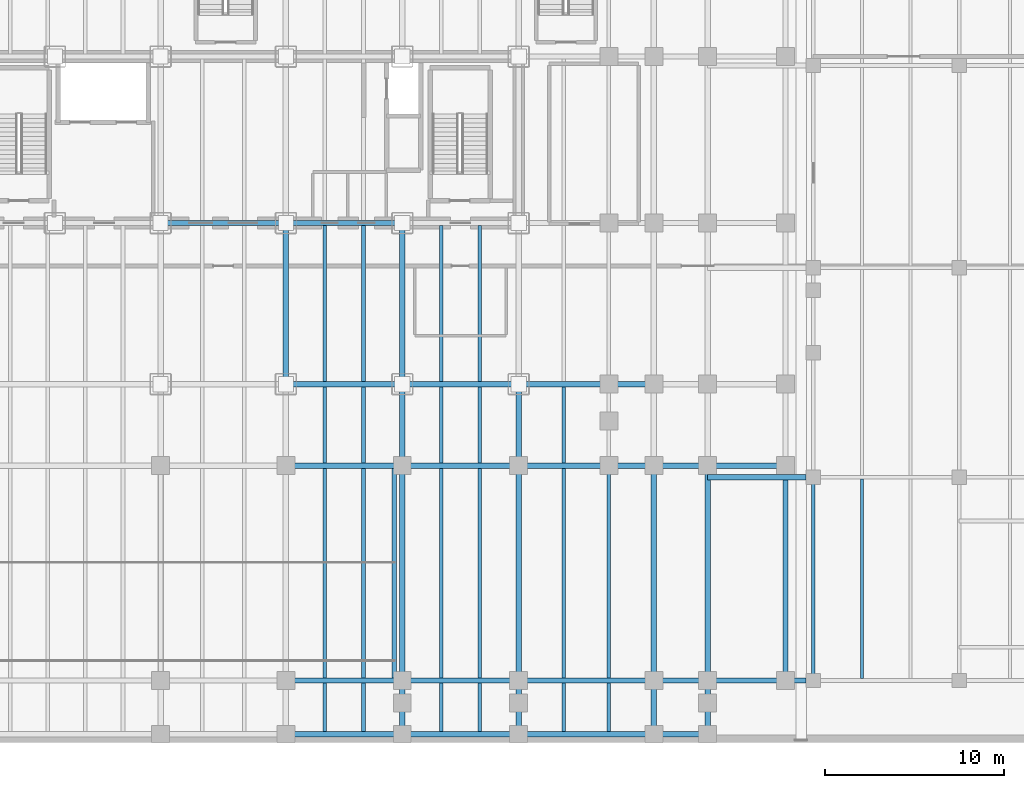
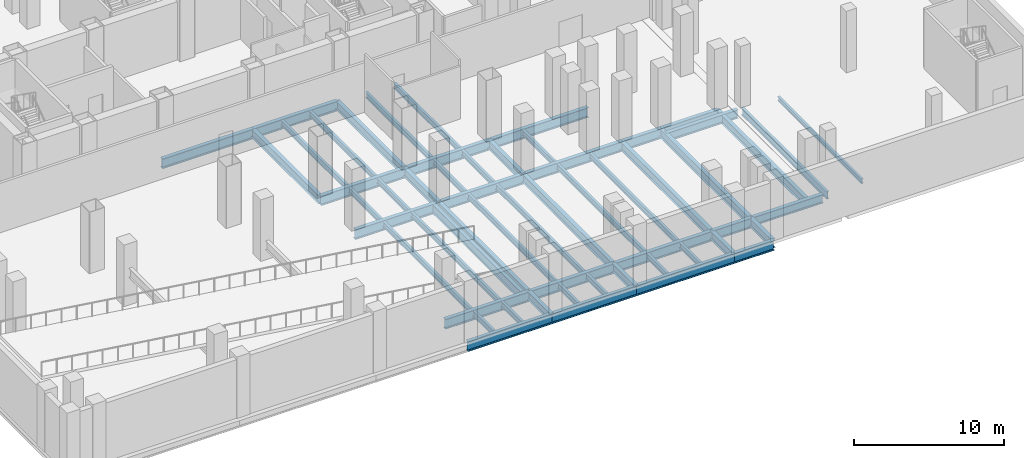
# One storey, part 3 of 18: 57 beams.
"""IFC4 building model written with IfcOpenShell, lengths in metres."""

from ifc_helpers import new_model, si_unit, direction, frame, origin, origin_2d, place, context, subcontext, project, spatial, i_section, extrude, material, material_profile, profile_set, type_object, element, save


model = new_model("IFC4")

# Units and contexts
model_context = context("Model", 3, precision=1e-05, world=origin(), true_north=direction((0.0, 1.0)))
body_context = subcontext(model_context, "Body", "Model", "MODEL_VIEW")
ifc_project = project(units=[si_unit("LENGTHUNIT", "METRE"), si_unit("AREAUNIT", "SQUARE_METRE"), si_unit("VOLUMEUNIT", "CUBIC_METRE"), si_unit("PLANEANGLEUNIT", "RADIAN"), si_unit("MASSUNIT", "GRAM", prefix="KILO")], contexts=[model_context])

# Site, building, storey
site_placement = place(None, origin())
site = spatial("IfcSite", under=ifc_project, at=site_placement, CompositionType="ELEMENT")
building_placement = place(site_placement, origin())
building = spatial("IfcBuilding", under=site, at=building_placement, Name="Noeulbin Bourse Tower", CompositionType="ELEMENT")
storey_placement = place(building_placement, frame((0.0, 0.0, -5.0)))
storey = spatial("IfcBuildingStorey", under=building, at=storey_placement, Name="B01", CompositionType="ELEMENT", Elevation=-5.0)

# Beams
ifc_material = material(Name="Steel S355", Category="steel")
ifc_material_profile_1 = material_profile(ifc_material, i_section(OverallWidth=0.199951171875, OverallDepth=0.60009765625, WebThickness=0.010986328125, FlangeThickness=0.01708984375, FilletRadius=0.02197265625, at=origin_2d()), Name="H-600x200x11x17", Category="LoadBearing")
ifc_profile_set_1 = profile_set([ifc_material_profile_1], Name="Steel S355")
beam_type_1 = type_object("IfcBeamType", Name="BM-GRD-600", PredefinedType="USERDEFINED", material=ifc_profile_set_1)
beam_1_placement = place(storey_placement, frame((60.449951171875, 3.449951171875, -0.580078125), z_axis=(0.0, 1.0, 0.0), x_axis=(-1.0, 0.0, 0.0)))
element("IfcBeam", 1, at=beam_1_placement, inside=storey, type_object=beam_type_1, Name="Market Hall Girder NS B01-11", ObjectType="GIRDER", PredefinedType="USERDEFINED", context=body_context, shape_type="SweptSolid", body=[
    extrude(i_section(OverallWidth=0.199951171875, OverallDepth=0.60009765625, WebThickness=0.010986328125, FlangeThickness=0.01708984375, FilletRadius=0.02197265625, at=origin_2d()), origin(), (0.0, 0.0, 1.0), 11.35009765625),
])
ifc_material_profile_2 = material_profile(ifc_material, i_section(OverallWidth=0.300048828125, OverallDepth=0.699951171875, WebThickness=0.012939453125, FlangeThickness=0.02392578125, FilletRadius=0.02392578125, at=origin_2d()), Name="H-700x300x13x24", Category="LoadBearing")
ifc_profile_set_2 = profile_set([ifc_material_profile_2], Name="Steel S355")
beam_type_2 = type_object("IfcBeamType", Name="BM-GRD-700", PredefinedType="USERDEFINED", material=ifc_profile_set_2)
beam_2_placement = place(storey_placement, frame((31.0, 20.0, -0.6298828125), z_axis=(0.0, 1.0, 0.0), x_axis=(-1.0, 0.0, 0.0)))
element("IfcBeam", 2, at=beam_2_placement, inside=storey, type_object=beam_type_2, Name="Podium Primary Girder NS B01-108", ObjectType="GIRDER", PredefinedType="USERDEFINED", context=body_context, shape_type="SweptSolid", body=[
    extrude(i_section(OverallWidth=0.300048828125, OverallDepth=0.699951171875, WebThickness=0.012939453125, FlangeThickness=0.02392578125, FilletRadius=0.02392578125, at=origin_2d()), origin(), (0.0, 0.0, 1.0), 9.0),
])
beam_3_placement = place(storey_placement, frame((37.5, 0.449951171875, -0.6298828125), z_axis=(0.0, 1.0, 0.0), x_axis=(-1.0, 0.0, 0.0)))
element("IfcBeam", 3, at=beam_3_placement, inside=storey, type_object=beam_type_2, Name="Podium Primary Girder NS B01-113", ObjectType="GIRDER", PredefinedType="USERDEFINED", context=body_context, shape_type="SweptSolid", body=[
    extrude(i_section(OverallWidth=0.300048828125, OverallDepth=0.699951171875, WebThickness=0.012939453125, FlangeThickness=0.02392578125, FilletRadius=0.02392578125, at=origin_2d()), origin(), (0.0, 0.0, 1.0), 3.0),
])
beam_4_placement = place(storey_placement, frame((37.5, 3.449951171875, -0.6298828125), z_axis=(0.0, 1.0, 0.0), x_axis=(-1.0, 0.0, 0.0)))
element("IfcBeam", 4, at=beam_4_placement, inside=storey, type_object=beam_type_2, Name="Podium Primary Girder NS B01-114", ObjectType="GIRDER", PredefinedType="USERDEFINED", context=body_context, shape_type="SweptSolid", body=[
    extrude(i_section(OverallWidth=0.300048828125, OverallDepth=0.699951171875, WebThickness=0.012939453125, FlangeThickness=0.02392578125, FilletRadius=0.02392578125, at=origin_2d()), origin(), (0.0, 0.0, 1.0), 12.0),
])
beam_5_placement = place(storey_placement, frame((37.5, 15.449951171875, -0.6298828125), z_axis=(0.0, 1.0, 0.0), x_axis=(-1.0, 0.0, 0.0)))
element("IfcBeam", 5, at=beam_5_placement, inside=storey, type_object=beam_type_2, Name="Podium Primary Girder NS B01-115", ObjectType="GIRDER", PredefinedType="USERDEFINED", context=body_context, shape_type="SweptSolid", body=[
    extrude(i_section(OverallWidth=0.300048828125, OverallDepth=0.699951171875, WebThickness=0.012939453125, FlangeThickness=0.02392578125, FilletRadius=0.02392578125, at=origin_2d()), origin(), (0.0, 0.0, 1.0), 4.550048828125),
])
beam_6_placement = place(storey_placement, frame((37.5, 20.0, -0.6298828125), z_axis=(0.0, 1.0, 0.0), x_axis=(-1.0, 0.0, 0.0)))
element("IfcBeam", 6, at=beam_6_placement, inside=storey, type_object=beam_type_2, Name="Podium Primary Girder NS B01-116", ObjectType="GIRDER", PredefinedType="USERDEFINED", context=body_context, shape_type="SweptSolid", body=[
    extrude(i_section(OverallWidth=0.300048828125, OverallDepth=0.699951171875, WebThickness=0.012939453125, FlangeThickness=0.02392578125, FilletRadius=0.02392578125, at=origin_2d()), origin(), (0.0, 0.0, 1.0), 9.0),
])
beam_7_placement = place(storey_placement, frame((44.0, 0.449951171875, -0.6298828125), z_axis=(0.0, 1.0, 0.0), x_axis=(-1.0, 0.0, 0.0)))
element("IfcBeam", 7, at=beam_7_placement, inside=storey, type_object=beam_type_2, Name="Podium Primary Girder NS B01-120", ObjectType="GIRDER", PredefinedType="USERDEFINED", context=body_context, shape_type="SweptSolid", body=[
    extrude(i_section(OverallWidth=0.300048828125, OverallDepth=0.699951171875, WebThickness=0.012939453125, FlangeThickness=0.02392578125, FilletRadius=0.02392578125, at=origin_2d()), origin(), (0.0, 0.0, 1.0), 3.0),
])
beam_8_placement = place(storey_placement, frame((44.0, 3.449951171875, -0.6298828125), z_axis=(0.0, 1.0, 0.0), x_axis=(-1.0, 0.0, 0.0)))
element("IfcBeam", 8, at=beam_8_placement, inside=storey, type_object=beam_type_2, Name="Podium Primary Girder NS B01-121", ObjectType="GIRDER", PredefinedType="USERDEFINED", context=body_context, shape_type="SweptSolid", body=[
    extrude(i_section(OverallWidth=0.300048828125, OverallDepth=0.699951171875, WebThickness=0.012939453125, FlangeThickness=0.02392578125, FilletRadius=0.02392578125, at=origin_2d()), origin(), (0.0, 0.0, 1.0), 12.0),
])
beam_9_placement = place(storey_placement, frame((44.0, 15.449951171875, -0.6298828125), z_axis=(0.0, 1.0, 0.0), x_axis=(-1.0, 0.0, 0.0)))
element("IfcBeam", 9, at=beam_9_placement, inside=storey, type_object=beam_type_2, Name="Podium Primary Girder NS B01-122", ObjectType="GIRDER", PredefinedType="USERDEFINED", context=body_context, shape_type="SweptSolid", body=[
    extrude(i_section(OverallWidth=0.300048828125, OverallDepth=0.699951171875, WebThickness=0.012939453125, FlangeThickness=0.02392578125, FilletRadius=0.02392578125, at=origin_2d()), origin(), (0.0, 0.0, 1.0), 4.550048828125),
])
beam_10_placement = place(storey_placement, frame((51.550048828125, 0.449951171875, -0.6298828125), z_axis=(0.0, 1.0, 0.0), x_axis=(-1.0, 0.0, 0.0)))
element("IfcBeam", 10, at=beam_10_placement, inside=storey, type_object=beam_type_2, Name="Podium Primary Girder NS B01-128", ObjectType="GIRDER", PredefinedType="USERDEFINED", context=body_context, shape_type="SweptSolid", body=[
    extrude(i_section(OverallWidth=0.300048828125, OverallDepth=0.699951171875, WebThickness=0.012939453125, FlangeThickness=0.02392578125, FilletRadius=0.02392578125, at=origin_2d()), origin(), (0.0, 0.0, 1.0), 3.0),
])
beam_11_placement = place(storey_placement, frame((51.550048828125, 3.449951171875, -0.6298828125), z_axis=(0.0, 1.0, 0.0), x_axis=(-1.0, 0.0, 0.0)))
element("IfcBeam", 11, at=beam_11_placement, inside=storey, type_object=beam_type_2, Name="Podium Primary Girder NS B01-129", ObjectType="GIRDER", PredefinedType="USERDEFINED", context=body_context, shape_type="SweptSolid", body=[
    extrude(i_section(OverallWidth=0.300048828125, OverallDepth=0.699951171875, WebThickness=0.012939453125, FlangeThickness=0.02392578125, FilletRadius=0.02392578125, at=origin_2d()), origin(), (0.0, 0.0, 1.0), 12.0),
])
beam_12_placement = place(storey_placement, frame((54.550048828125, 0.449951171875, -0.6298828125), z_axis=(0.0, 1.0, 0.0), x_axis=(-1.0, 0.0, 0.0)))
element("IfcBeam", 12, at=beam_12_placement, inside=storey, type_object=beam_type_2, Name="Podium Primary Girder NS B01-136", ObjectType="GIRDER", PredefinedType="USERDEFINED", context=body_context, shape_type="SweptSolid", body=[
    extrude(i_section(OverallWidth=0.300048828125, OverallDepth=0.699951171875, WebThickness=0.012939453125, FlangeThickness=0.02392578125, FilletRadius=0.02392578125, at=origin_2d()), origin(), (0.0, 0.0, 1.0), 3.0),
])
beam_13_placement = place(storey_placement, frame((54.550048828125, 3.449951171875, -0.6298828125), z_axis=(0.0, 1.0, 0.0), x_axis=(-1.0, 0.0, 0.0)))
element("IfcBeam", 13, at=beam_13_placement, inside=storey, type_object=beam_type_2, Name="Podium Primary Girder NS B01-137", ObjectType="GIRDER", PredefinedType="USERDEFINED", context=body_context, shape_type="SweptSolid", body=[
    extrude(i_section(OverallWidth=0.300048828125, OverallDepth=0.699951171875, WebThickness=0.012939453125, FlangeThickness=0.02392578125, FilletRadius=0.02392578125, at=origin_2d()), origin(), (0.0, 0.0, 1.0), 12.0),
])
for number, where, z_axis, x_axis, name in (
    (14, (54.550048828125, 3.449951171875, -0.6298828125), (1.0, 0.0, 0.0), (0.0, 1.0, 0.0), "Concourse Slot Girder B01-01"),
    (15, (54.550048828125, 14.800048828125, -0.6298828125), (1.0, 0.0, 0.0), (0.0, 1.0, 0.0), "Concourse Slot Girder B01-02"),
):
    element("IfcBeam", number, at=place(storey_placement, frame(where, z_axis=z_axis, x_axis=x_axis)), inside=storey, type_object=beam_type_2, Name=name, ObjectType="GIRDER", PredefinedType="USERDEFINED", context=body_context, shape_type="SweptSolid", body=[
        extrude(i_section(OverallWidth=0.300048828125, OverallDepth=0.699951171875, WebThickness=0.012939453125, FlangeThickness=0.02392578125, FilletRadius=0.02392578125, at=origin_2d()), origin(), (0.0, 0.0, 1.0), 5.5),
    ])
beam_14_placement = place(storey_placement, frame((54.550048828125, 15.449951171875, -0.6298828125), z_axis=(1.0, 0.0, 0.0), x_axis=(0.0, 1.0, 0.0)))
element("IfcBeam", 16, at=beam_14_placement, inside=storey, type_object=beam_type_2, Name="BM-B01-JNT-EW-2", ObjectType="GIRDER", PredefinedType="USERDEFINED", context=body_context, shape_type="SweptSolid", body=[
    extrude(i_section(OverallWidth=0.300048828125, OverallDepth=0.699951171875, WebThickness=0.012939453125, FlangeThickness=0.02392578125, FilletRadius=0.02392578125, at=origin_2d()), origin(), (0.0, 0.0, 1.0), 4.349853515625),
])
beam_15_placement = place(storey_placement, frame((58.89990234375, 3.449951171875, -0.6298828125), z_axis=(0.0, 1.0, 0.0), x_axis=(-1.0, 0.0, 0.0)))
element("IfcBeam", 17, at=beam_15_placement, inside=storey, type_object=beam_type_2, Name="BM-B01-JNT-NS-1", ObjectType="GIRDER", PredefinedType="USERDEFINED", context=body_context, shape_type="SweptSolid", body=[
    extrude(i_section(OverallWidth=0.300048828125, OverallDepth=0.699951171875, WebThickness=0.012939453125, FlangeThickness=0.02392578125, FilletRadius=0.02392578125, at=origin_2d()), origin(), (0.0, 0.0, 1.0), 12.0),
])
ifc_material_profile_3 = material_profile(ifc_material, i_section(OverallWidth=0.25, OverallDepth=0.75, WebThickness=0.012939453125, FlangeThickness=0.02392578125, FilletRadius=0.02392578125, at=origin_2d()), Name="H-750x250x13x24", Category="LoadBearing")
ifc_profile_set_3 = profile_set([ifc_material_profile_3], Name="Steel S355")
beam_type_3 = type_object("IfcBeamType", Name="BM-GRD-750", PredefinedType="USERDEFINED", material=ifc_profile_set_3)
beam_16_placement = place(storey_placement, frame((37.050048828125, 3.449951171875, -0.655029296875), z_axis=(0.0, 1.0, 0.0), x_axis=(-1.0, 0.0, 0.0)))
element("IfcBeam", 18, at=beam_16_placement, inside=storey, type_object=beam_type_3, Name="BM-B01-RMP-HDR-E", ObjectType="GIRDER", PredefinedType="USERDEFINED", context=body_context, shape_type="SweptSolid", body=[
    extrude(i_section(OverallWidth=0.25, OverallDepth=0.75, WebThickness=0.012939453125, FlangeThickness=0.02392578125, FilletRadius=0.02392578125, at=origin_2d()), origin(), (0.0, 0.0, 1.0), 12.0),
])
ifc_material_profile_4 = material_profile(ifc_material, i_section(OverallWidth=0.300048828125, OverallDepth=0.800048828125, WebThickness=0.013916015625, FlangeThickness=0.02587890625, FilletRadius=0.02587890625, at=origin_2d()), Name="H-800x300x14x26", Category="LoadBearing")
ifc_profile_set_4 = profile_set([ifc_material_profile_4], Name="Steel S355")
beam_type_4 = type_object("IfcBeamType", Name="BM-GRD-800", PredefinedType="USERDEFINED", material=ifc_profile_set_4)
for number, where, z_axis, x_axis, name in (
    (19, (31.0, 0.449951171875, -0.679931640625), (1.0, 0.0, 0.0), (0.0, 1.0, 0.0), "Podium Primary Girder EW B01-005"),
    (20, (37.5, 0.449951171875, -0.679931640625), (1.0, 0.0, 0.0), (0.0, 1.0, 0.0), "Podium Primary Girder EW B01-006"),
):
    element("IfcBeam", number, at=place(storey_placement, frame(where, z_axis=z_axis, x_axis=x_axis)), inside=storey, type_object=beam_type_4, Name=name, ObjectType="GIRDER", PredefinedType="USERDEFINED", context=body_context, shape_type="SweptSolid", body=[
        extrude(i_section(OverallWidth=0.300048828125, OverallDepth=0.800048828125, WebThickness=0.013916015625, FlangeThickness=0.02587890625, FilletRadius=0.02587890625, at=origin_2d()), origin(), (0.0, 0.0, 1.0), 6.5),
    ])
beam_17_placement = place(storey_placement, frame((44.0, 0.449951171875, -0.679931640625), z_axis=(1.0, 0.0, 0.0), x_axis=(0.0, 1.0, 0.0)))
element("IfcBeam", 21, at=beam_17_placement, inside=storey, type_object=beam_type_4, Name="Podium Primary Girder EW B01-007", ObjectType="GIRDER", PredefinedType="USERDEFINED", context=body_context, shape_type="SweptSolid", body=[
    extrude(i_section(OverallWidth=0.300048828125, OverallDepth=0.800048828125, WebThickness=0.013916015625, FlangeThickness=0.02587890625, FilletRadius=0.02587890625, at=origin_2d()), origin(), (0.0, 0.0, 1.0), 7.550048828125),
])
beam_18_placement = place(storey_placement, frame((51.550048828125, 0.449951171875, -0.679931640625), z_axis=(1.0, 0.0, 0.0), x_axis=(0.0, 1.0, 0.0)))
element("IfcBeam", 22, at=beam_18_placement, inside=storey, type_object=beam_type_4, Name="Podium Primary Girder EW B01-008", ObjectType="GIRDER", PredefinedType="USERDEFINED", context=body_context, shape_type="SweptSolid", body=[
    extrude(i_section(OverallWidth=0.300048828125, OverallDepth=0.800048828125, WebThickness=0.013916015625, FlangeThickness=0.02587890625, FilletRadius=0.02587890625, at=origin_2d()), origin(), (0.0, 0.0, 1.0), 3.0),
])
for number, where, z_axis, x_axis, name in (
    (23, (31.0, 3.449951171875, -0.679931640625), (1.0, 0.0, 0.0), (0.0, 1.0, 0.0), "Podium Primary Girder EW B01-013"),
    (24, (37.5, 3.449951171875, -0.679931640625), (1.0, 0.0, 0.0), (0.0, 1.0, 0.0), "Podium Primary Girder EW B01-014"),
):
    element("IfcBeam", number, at=place(storey_placement, frame(where, z_axis=z_axis, x_axis=x_axis)), inside=storey, type_object=beam_type_4, Name=name, ObjectType="GIRDER", PredefinedType="USERDEFINED", context=body_context, shape_type="SweptSolid", body=[
        extrude(i_section(OverallWidth=0.300048828125, OverallDepth=0.800048828125, WebThickness=0.013916015625, FlangeThickness=0.02587890625, FilletRadius=0.02587890625, at=origin_2d()), origin(), (0.0, 0.0, 1.0), 6.5),
    ])
beam_19_placement = place(storey_placement, frame((44.0, 3.449951171875, -0.679931640625), z_axis=(1.0, 0.0, 0.0), x_axis=(0.0, 1.0, 0.0)))
element("IfcBeam", 25, at=beam_19_placement, inside=storey, type_object=beam_type_4, Name="Podium Primary Girder EW B01-015", ObjectType="GIRDER", PredefinedType="USERDEFINED", context=body_context, shape_type="SweptSolid", body=[
    extrude(i_section(OverallWidth=0.300048828125, OverallDepth=0.800048828125, WebThickness=0.013916015625, FlangeThickness=0.02587890625, FilletRadius=0.02587890625, at=origin_2d()), origin(), (0.0, 0.0, 1.0), 7.550048828125),
])
beam_20_placement = place(storey_placement, frame((51.550048828125, 3.449951171875, -0.679931640625), z_axis=(1.0, 0.0, 0.0), x_axis=(0.0, 1.0, 0.0)))
element("IfcBeam", 26, at=beam_20_placement, inside=storey, type_object=beam_type_4, Name="Podium Primary Girder EW B01-016", ObjectType="GIRDER", PredefinedType="USERDEFINED", context=body_context, shape_type="SweptSolid", body=[
    extrude(i_section(OverallWidth=0.300048828125, OverallDepth=0.800048828125, WebThickness=0.013916015625, FlangeThickness=0.02587890625, FilletRadius=0.02587890625, at=origin_2d()), origin(), (0.0, 0.0, 1.0), 3.0),
])
for number, where, z_axis, x_axis, name in (
    (27, (31.0, 15.449951171875, -0.679931640625), (1.0, 0.0, 0.0), (0.0, 1.0, 0.0), "Podium Primary Girder EW B01-021"),
    (28, (37.5, 15.449951171875, -0.679931640625), (1.0, 0.0, 0.0), (0.0, 1.0, 0.0), "Podium Primary Girder EW B01-022"),
):
    element("IfcBeam", number, at=place(storey_placement, frame(where, z_axis=z_axis, x_axis=x_axis)), inside=storey, type_object=beam_type_4, Name=name, ObjectType="GIRDER", PredefinedType="USERDEFINED", context=body_context, shape_type="SweptSolid", body=[
        extrude(i_section(OverallWidth=0.300048828125, OverallDepth=0.800048828125, WebThickness=0.013916015625, FlangeThickness=0.02587890625, FilletRadius=0.02587890625, at=origin_2d()), origin(), (0.0, 0.0, 1.0), 6.5),
    ])
beam_21_placement = place(storey_placement, frame((44.0, 15.449951171875, -0.679931640625), z_axis=(1.0, 0.0, 0.0), x_axis=(0.0, 1.0, 0.0)))
element("IfcBeam", 29, at=beam_21_placement, inside=storey, type_object=beam_type_4, Name="Podium Primary Girder EW B01-023", ObjectType="GIRDER", PredefinedType="USERDEFINED", context=body_context, shape_type="SweptSolid", body=[
    extrude(i_section(OverallWidth=0.300048828125, OverallDepth=0.800048828125, WebThickness=0.013916015625, FlangeThickness=0.02587890625, FilletRadius=0.02587890625, at=origin_2d()), origin(), (0.0, 0.0, 1.0), 7.550048828125),
])
beam_22_placement = place(storey_placement, frame((51.550048828125, 15.449951171875, -0.679931640625), z_axis=(1.0, 0.0, 0.0), x_axis=(0.0, 1.0, 0.0)))
element("IfcBeam", 30, at=beam_22_placement, inside=storey, type_object=beam_type_4, Name="Podium Primary Girder EW B01-024", ObjectType="GIRDER", PredefinedType="USERDEFINED", context=body_context, shape_type="SweptSolid", body=[
    extrude(i_section(OverallWidth=0.300048828125, OverallDepth=0.800048828125, WebThickness=0.013916015625, FlangeThickness=0.02587890625, FilletRadius=0.02587890625, at=origin_2d()), origin(), (0.0, 0.0, 1.0), 3.0),
])
for number, where, z_axis, x_axis, name in (
    (31, (31.0, 20.0, -0.679931640625), (1.0, 0.0, 0.0), (0.0, 1.0, 0.0), "Podium Primary Girder EW B01-029"),
    (32, (37.5, 20.0, -0.679931640625), (1.0, 0.0, 0.0), (0.0, 1.0, 0.0), "Podium Primary Girder EW B01-030"),
):
    element("IfcBeam", number, at=place(storey_placement, frame(where, z_axis=z_axis, x_axis=x_axis)), inside=storey, type_object=beam_type_4, Name=name, ObjectType="GIRDER", PredefinedType="USERDEFINED", context=body_context, shape_type="SweptSolid", body=[
        extrude(i_section(OverallWidth=0.300048828125, OverallDepth=0.800048828125, WebThickness=0.013916015625, FlangeThickness=0.02587890625, FilletRadius=0.02587890625, at=origin_2d()), origin(), (0.0, 0.0, 1.0), 6.5),
    ])
beam_23_placement = place(storey_placement, frame((44.0, 20.0, -0.679931640625), z_axis=(1.0, 0.0, 0.0), x_axis=(0.0, 1.0, 0.0)))
element("IfcBeam", 33, at=beam_23_placement, inside=storey, type_object=beam_type_4, Name="Podium Primary Girder EW B01-031", ObjectType="GIRDER", PredefinedType="USERDEFINED", context=body_context, shape_type="SweptSolid", body=[
    extrude(i_section(OverallWidth=0.300048828125, OverallDepth=0.800048828125, WebThickness=0.013916015625, FlangeThickness=0.02587890625, FilletRadius=0.02587890625, at=origin_2d()), origin(), (0.0, 0.0, 1.0), 7.550048828125),
])
beam_24_placement = place(storey_placement, frame((24.0, 29.0, -0.679931640625), z_axis=(1.0, 0.0, 0.0), x_axis=(0.0, 1.0, 0.0)))
element("IfcBeam", 34, at=beam_24_placement, inside=storey, type_object=beam_type_4, Name="Podium Primary Girder EW B01-036", ObjectType="GIRDER", PredefinedType="USERDEFINED", context=body_context, shape_type="SweptSolid", body=[
    extrude(i_section(OverallWidth=0.300048828125, OverallDepth=0.800048828125, WebThickness=0.013916015625, FlangeThickness=0.02587890625, FilletRadius=0.02587890625, at=origin_2d()), origin(), (0.0, 0.0, 1.0), 7.0),
])
beam_25_placement = place(storey_placement, frame((31.0, 29.0, -0.679931640625), z_axis=(1.0, 0.0, 0.0), x_axis=(0.0, 1.0, 0.0)))
element("IfcBeam", 35, at=beam_25_placement, inside=storey, type_object=beam_type_4, Name="Podium Primary Girder EW B01-037", ObjectType="GIRDER", PredefinedType="USERDEFINED", context=body_context, shape_type="SweptSolid", body=[
    extrude(i_section(OverallWidth=0.300048828125, OverallDepth=0.800048828125, WebThickness=0.013916015625, FlangeThickness=0.02587890625, FilletRadius=0.02587890625, at=origin_2d()), origin(), (0.0, 0.0, 1.0), 6.5),
])
ifc_material_profile_5 = material_profile(ifc_material, i_section(OverallWidth=0.175048828125, OverallDepth=0.35009765625, WebThickness=0.007080078125, FlangeThickness=0.010986328125, FilletRadius=0.013916015625, at=origin_2d()), Name="H-350x175x7x11", Category="LoadBearing")
ifc_profile_set_5 = profile_set([ifc_material_profile_5], Name="Steel S355")
beam_type_5 = type_object("IfcBeamType", Name="BM-JST-350", PredefinedType="JOIST", material=ifc_profile_set_5)
beam_26_placement = place(storey_placement, frame((63.166748046875, 3.550048828125, -0.455078125), z_axis=(0.0, 1.0, 0.0), x_axis=(-1.0, 0.0, 0.0)))
element("IfcBeam", 36, at=beam_26_placement, inside=storey, type_object=beam_type_5, Name="Market Hall Secondary Joist B01-01", PredefinedType="JOIST", context=body_context, shape_type="SweptSolid", body=[
    extrude(i_section(OverallWidth=0.175048828125, OverallDepth=0.35009765625, WebThickness=0.007080078125, FlangeThickness=0.010986328125, FilletRadius=0.013916015625, at=origin_2d()), origin(), (0.0, 0.0, 1.0), 11.14990234375),
])
ifc_material_profile_6 = material_profile(ifc_material, i_section(OverallWidth=0.199951171875, OverallDepth=0.449951171875, WebThickness=0.009033203125, FlangeThickness=0.013916015625, FilletRadius=0.01806640625, at=origin_2d()), Name="H-450x200x9x14", Category="LoadBearing")
ifc_profile_set_6 = profile_set([ifc_material_profile_6], Name="Steel S355")
beam_type_6 = type_object("IfcBeamType", Name="BM-SEC-450", PredefinedType="BEAM", material=ifc_profile_set_6)
beam_27_placement = place(storey_placement, frame((33.166748046875, 0.60009765625, -0.5048828125), z_axis=(0.0, 1.0, 0.0), x_axis=(-1.0, 0.0, 0.0)))
element("IfcBeam", 37, at=beam_27_placement, inside=storey, type_object=beam_type_6, Name="Podium Secondary Beam B01-073", PredefinedType="BEAM", context=body_context, shape_type="SweptSolid", body=[
    extrude(i_section(OverallWidth=0.199951171875, OverallDepth=0.449951171875, WebThickness=0.009033203125, FlangeThickness=0.013916015625, FilletRadius=0.01806640625, at=origin_2d()), origin(), (0.0, 0.0, 1.0), 2.699951171875),
])
beam_28_placement = place(storey_placement, frame((33.166748046875, 3.60009765625, -0.5048828125), z_axis=(0.0, 1.0, 0.0), x_axis=(-1.0, 0.0, 0.0)))
element("IfcBeam", 38, at=beam_28_placement, inside=storey, type_object=beam_type_6, Name="Podium Secondary Beam B01-074", PredefinedType="BEAM", context=body_context, shape_type="SweptSolid", body=[
    extrude(i_section(OverallWidth=0.199951171875, OverallDepth=0.449951171875, WebThickness=0.009033203125, FlangeThickness=0.013916015625, FilletRadius=0.01806640625, at=origin_2d()), origin(), (0.0, 0.0, 1.0), 11.699951171875),
])
beam_29_placement = place(storey_placement, frame((33.166748046875, 15.60009765625, -0.5048828125), z_axis=(0.0, 1.0, 0.0), x_axis=(-1.0, 0.0, 0.0)))
element("IfcBeam", 39, at=beam_29_placement, inside=storey, type_object=beam_type_6, Name="Podium Secondary Beam B01-075", PredefinedType="BEAM", context=body_context, shape_type="SweptSolid", body=[
    extrude(i_section(OverallWidth=0.199951171875, OverallDepth=0.449951171875, WebThickness=0.009033203125, FlangeThickness=0.013916015625, FilletRadius=0.01806640625, at=origin_2d()), origin(), (0.0, 0.0, 1.0), 4.25),
])
beam_30_placement = place(storey_placement, frame((33.166748046875, 20.14990234375, -0.5048828125), z_axis=(0.0, 1.0, 0.0), x_axis=(-1.0, 0.0, 0.0)))
element("IfcBeam", 40, at=beam_30_placement, inside=storey, type_object=beam_type_6, Name="Podium Secondary Beam B01-076", PredefinedType="BEAM", context=body_context, shape_type="SweptSolid", body=[
    extrude(i_section(OverallWidth=0.199951171875, OverallDepth=0.449951171875, WebThickness=0.009033203125, FlangeThickness=0.013916015625, FilletRadius=0.01806640625, at=origin_2d()), origin(), (0.0, 0.0, 1.0), 8.7001953125),
])
beam_31_placement = place(storey_placement, frame((35.333251953125, 0.60009765625, -0.5048828125), z_axis=(0.0, 1.0, 0.0), x_axis=(-1.0, 0.0, 0.0)))
element("IfcBeam", 41, at=beam_31_placement, inside=storey, type_object=beam_type_6, Name="Podium Secondary Beam B01-081", PredefinedType="BEAM", context=body_context, shape_type="SweptSolid", body=[
    extrude(i_section(OverallWidth=0.199951171875, OverallDepth=0.449951171875, WebThickness=0.009033203125, FlangeThickness=0.013916015625, FilletRadius=0.01806640625, at=origin_2d()), origin(), (0.0, 0.0, 1.0), 2.699951171875),
])
beam_32_placement = place(storey_placement, frame((35.333251953125, 3.60009765625, -0.5048828125), z_axis=(0.0, 1.0, 0.0), x_axis=(-1.0, 0.0, 0.0)))
element("IfcBeam", 42, at=beam_32_placement, inside=storey, type_object=beam_type_6, Name="Podium Secondary Beam B01-082", PredefinedType="BEAM", context=body_context, shape_type="SweptSolid", body=[
    extrude(i_section(OverallWidth=0.199951171875, OverallDepth=0.449951171875, WebThickness=0.009033203125, FlangeThickness=0.013916015625, FilletRadius=0.01806640625, at=origin_2d()), origin(), (0.0, 0.0, 1.0), 11.699951171875),
])
beam_33_placement = place(storey_placement, frame((35.333251953125, 15.60009765625, -0.5048828125), z_axis=(0.0, 1.0, 0.0), x_axis=(-1.0, 0.0, 0.0)))
element("IfcBeam", 43, at=beam_33_placement, inside=storey, type_object=beam_type_6, Name="Podium Secondary Beam B01-083", PredefinedType="BEAM", context=body_context, shape_type="SweptSolid", body=[
    extrude(i_section(OverallWidth=0.199951171875, OverallDepth=0.449951171875, WebThickness=0.009033203125, FlangeThickness=0.013916015625, FilletRadius=0.01806640625, at=origin_2d()), origin(), (0.0, 0.0, 1.0), 4.25),
])
beam_34_placement = place(storey_placement, frame((35.333251953125, 20.14990234375, -0.5048828125), z_axis=(0.0, 1.0, 0.0), x_axis=(-1.0, 0.0, 0.0)))
element("IfcBeam", 44, at=beam_34_placement, inside=storey, type_object=beam_type_6, Name="Podium Secondary Beam B01-084", PredefinedType="BEAM", context=body_context, shape_type="SweptSolid", body=[
    extrude(i_section(OverallWidth=0.199951171875, OverallDepth=0.449951171875, WebThickness=0.009033203125, FlangeThickness=0.013916015625, FilletRadius=0.01806640625, at=origin_2d()), origin(), (0.0, 0.0, 1.0), 8.7001953125),
])
beam_35_placement = place(storey_placement, frame((39.666748046875, 0.60009765625, -0.5048828125), z_axis=(0.0, 1.0, 0.0), x_axis=(-1.0, 0.0, 0.0)))
element("IfcBeam", 45, at=beam_35_placement, inside=storey, type_object=beam_type_6, Name="Podium Secondary Beam B01-089", PredefinedType="BEAM", context=body_context, shape_type="SweptSolid", body=[
    extrude(i_section(OverallWidth=0.199951171875, OverallDepth=0.449951171875, WebThickness=0.009033203125, FlangeThickness=0.013916015625, FilletRadius=0.01806640625, at=origin_2d()), origin(), (0.0, 0.0, 1.0), 2.699951171875),
])
beam_36_placement = place(storey_placement, frame((39.666748046875, 3.60009765625, -0.5048828125), z_axis=(0.0, 1.0, 0.0), x_axis=(-1.0, 0.0, 0.0)))
element("IfcBeam", 46, at=beam_36_placement, inside=storey, type_object=beam_type_6, Name="Podium Secondary Beam B01-090", PredefinedType="BEAM", context=body_context, shape_type="SweptSolid", body=[
    extrude(i_section(OverallWidth=0.199951171875, OverallDepth=0.449951171875, WebThickness=0.009033203125, FlangeThickness=0.013916015625, FilletRadius=0.01806640625, at=origin_2d()), origin(), (0.0, 0.0, 1.0), 11.699951171875),
])
beam_37_placement = place(storey_placement, frame((39.666748046875, 15.60009765625, -0.5048828125), z_axis=(0.0, 1.0, 0.0), x_axis=(-1.0, 0.0, 0.0)))
element("IfcBeam", 47, at=beam_37_placement, inside=storey, type_object=beam_type_6, Name="Podium Secondary Beam B01-091", PredefinedType="BEAM", context=body_context, shape_type="SweptSolid", body=[
    extrude(i_section(OverallWidth=0.199951171875, OverallDepth=0.449951171875, WebThickness=0.009033203125, FlangeThickness=0.013916015625, FilletRadius=0.01806640625, at=origin_2d()), origin(), (0.0, 0.0, 1.0), 4.25),
])
beam_38_placement = place(storey_placement, frame((39.666748046875, 20.14990234375, -0.5048828125), z_axis=(0.0, 1.0, 0.0), x_axis=(-1.0, 0.0, 0.0)))
element("IfcBeam", 48, at=beam_38_placement, inside=storey, type_object=beam_type_6, Name="Podium Secondary Beam B01-092", PredefinedType="BEAM", context=body_context, shape_type="SweptSolid", body=[
    extrude(i_section(OverallWidth=0.199951171875, OverallDepth=0.449951171875, WebThickness=0.009033203125, FlangeThickness=0.013916015625, FilletRadius=0.01806640625, at=origin_2d()), origin(), (0.0, 0.0, 1.0), 8.7001953125),
])
beam_39_placement = place(storey_placement, frame((41.833251953125, 0.60009765625, -0.5048828125), z_axis=(0.0, 1.0, 0.0), x_axis=(-1.0, 0.0, 0.0)))
element("IfcBeam", 49, at=beam_39_placement, inside=storey, type_object=beam_type_6, Name="Podium Secondary Beam B01-096", PredefinedType="BEAM", context=body_context, shape_type="SweptSolid", body=[
    extrude(i_section(OverallWidth=0.199951171875, OverallDepth=0.449951171875, WebThickness=0.009033203125, FlangeThickness=0.013916015625, FilletRadius=0.01806640625, at=origin_2d()), origin(), (0.0, 0.0, 1.0), 2.699951171875),
])
beam_40_placement = place(storey_placement, frame((41.833251953125, 3.60009765625, -0.5048828125), z_axis=(0.0, 1.0, 0.0), x_axis=(-1.0, 0.0, 0.0)))
element("IfcBeam", 50, at=beam_40_placement, inside=storey, type_object=beam_type_6, Name="Podium Secondary Beam B01-097", PredefinedType="BEAM", context=body_context, shape_type="SweptSolid", body=[
    extrude(i_section(OverallWidth=0.199951171875, OverallDepth=0.449951171875, WebThickness=0.009033203125, FlangeThickness=0.013916015625, FilletRadius=0.01806640625, at=origin_2d()), origin(), (0.0, 0.0, 1.0), 11.699951171875),
])
beam_41_placement = place(storey_placement, frame((41.833251953125, 15.60009765625, -0.5048828125), z_axis=(0.0, 1.0, 0.0), x_axis=(-1.0, 0.0, 0.0)))
element("IfcBeam", 51, at=beam_41_placement, inside=storey, type_object=beam_type_6, Name="Podium Secondary Beam B01-098", PredefinedType="BEAM", context=body_context, shape_type="SweptSolid", body=[
    extrude(i_section(OverallWidth=0.199951171875, OverallDepth=0.449951171875, WebThickness=0.009033203125, FlangeThickness=0.013916015625, FilletRadius=0.01806640625, at=origin_2d()), origin(), (0.0, 0.0, 1.0), 4.25),
])
beam_42_placement = place(storey_placement, frame((41.833251953125, 20.14990234375, -0.5048828125), z_axis=(0.0, 1.0, 0.0), x_axis=(-1.0, 0.0, 0.0)))
element("IfcBeam", 52, at=beam_42_placement, inside=storey, type_object=beam_type_6, Name="Podium Secondary Beam B01-099", PredefinedType="BEAM", context=body_context, shape_type="SweptSolid", body=[
    extrude(i_section(OverallWidth=0.199951171875, OverallDepth=0.449951171875, WebThickness=0.009033203125, FlangeThickness=0.013916015625, FilletRadius=0.01806640625, at=origin_2d()), origin(), (0.0, 0.0, 1.0), 8.7001953125),
])
beam_43_placement = place(storey_placement, frame((46.5166015625, 0.60009765625, -0.5048828125), z_axis=(0.0, 1.0, 0.0), x_axis=(-1.0, 0.0, 0.0)))
element("IfcBeam", 53, at=beam_43_placement, inside=storey, type_object=beam_type_6, Name="Podium Secondary Beam B01-103", PredefinedType="BEAM", context=body_context, shape_type="SweptSolid", body=[
    extrude(i_section(OverallWidth=0.199951171875, OverallDepth=0.449951171875, WebThickness=0.009033203125, FlangeThickness=0.013916015625, FilletRadius=0.01806640625, at=origin_2d()), origin(), (0.0, 0.0, 1.0), 2.699951171875),
])
beam_44_placement = place(storey_placement, frame((46.5166015625, 3.60009765625, -0.5048828125), z_axis=(0.0, 1.0, 0.0), x_axis=(-1.0, 0.0, 0.0)))
element("IfcBeam", 54, at=beam_44_placement, inside=storey, type_object=beam_type_6, Name="Podium Secondary Beam B01-104", PredefinedType="BEAM", context=body_context, shape_type="SweptSolid", body=[
    extrude(i_section(OverallWidth=0.199951171875, OverallDepth=0.449951171875, WebThickness=0.009033203125, FlangeThickness=0.013916015625, FilletRadius=0.01806640625, at=origin_2d()), origin(), (0.0, 0.0, 1.0), 11.699951171875),
])
beam_45_placement = place(storey_placement, frame((46.5166015625, 15.60009765625, -0.5048828125), z_axis=(0.0, 1.0, 0.0), x_axis=(-1.0, 0.0, 0.0)))
element("IfcBeam", 55, at=beam_45_placement, inside=storey, type_object=beam_type_6, Name="Podium Secondary Beam B01-105", PredefinedType="BEAM", context=body_context, shape_type="SweptSolid", body=[
    extrude(i_section(OverallWidth=0.199951171875, OverallDepth=0.449951171875, WebThickness=0.009033203125, FlangeThickness=0.013916015625, FilletRadius=0.01806640625, at=origin_2d()), origin(), (0.0, 0.0, 1.0), 4.25),
])
beam_46_placement = place(storey_placement, frame((49.033203125, 0.60009765625, -0.5048828125), z_axis=(0.0, 1.0, 0.0), x_axis=(-1.0, 0.0, 0.0)))
element("IfcBeam", 56, at=beam_46_placement, inside=storey, type_object=beam_type_6, Name="Podium Secondary Beam B01-110", PredefinedType="BEAM", context=body_context, shape_type="SweptSolid", body=[
    extrude(i_section(OverallWidth=0.199951171875, OverallDepth=0.449951171875, WebThickness=0.009033203125, FlangeThickness=0.013916015625, FilletRadius=0.01806640625, at=origin_2d()), origin(), (0.0, 0.0, 1.0), 2.699951171875),
])
beam_47_placement = place(storey_placement, frame((49.033203125, 3.60009765625, -0.5048828125), z_axis=(0.0, 1.0, 0.0), x_axis=(-1.0, 0.0, 0.0)))
element("IfcBeam", 57, at=beam_47_placement, inside=storey, type_object=beam_type_6, Name="Podium Secondary Beam B01-111", PredefinedType="BEAM", context=body_context, shape_type="SweptSolid", body=[
    extrude(i_section(OverallWidth=0.199951171875, OverallDepth=0.449951171875, WebThickness=0.009033203125, FlangeThickness=0.013916015625, FilletRadius=0.01806640625, at=origin_2d()), origin(), (0.0, 0.0, 1.0), 11.699951171875),
])

save(model, "model.ifc")
